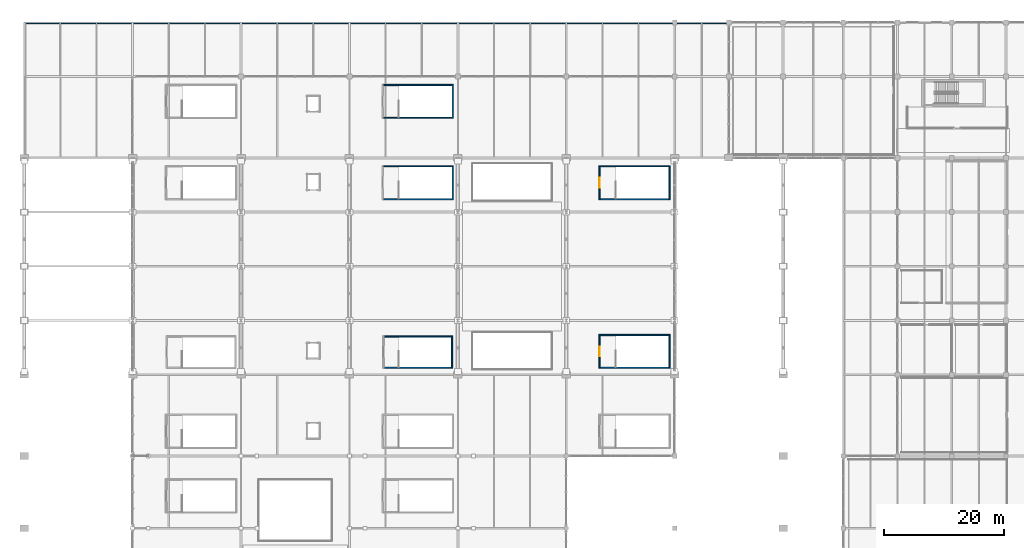
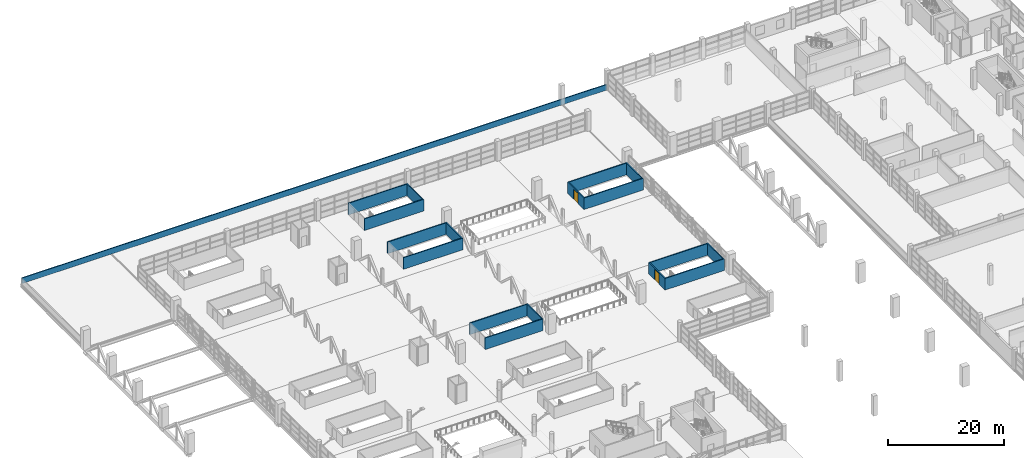
# One storey, part 119 of 136: 18 walls, 2 doors, 2 openings.
"""IFC4 building model written with IfcOpenShell, lengths in metres."""

from ifc_helpers import new_model, si_unit, direction, frame, frame_2d, origin, place, context, subcontext, project, spatial, rectangle, extrude, material, layer, layer_set, type_object, element, fill, save


model = new_model("IFC4")

# Units and contexts
model_context = context("Model", 3, precision=1e-05, world=origin(), true_north=direction((0.0, 1.0)))
body_context = subcontext(model_context, "Body", "Model", "MODEL_VIEW")
ifc_project = project(units=[si_unit("LENGTHUNIT", "METRE"), si_unit("AREAUNIT", "SQUARE_METRE"), si_unit("VOLUMEUNIT", "CUBIC_METRE"), si_unit("PLANEANGLEUNIT", "RADIAN"), si_unit("MASSUNIT", "GRAM", prefix="KILO")], contexts=[model_context])

# Site, building, storey
site_placement = place(None, origin())
site = spatial("IfcSite", under=ifc_project, at=site_placement, CompositionType="ELEMENT")
building_placement = place(site_placement, origin())
building = spatial("IfcBuilding", under=site, at=building_placement, Name="Chuanluo Vaults Station", CompositionType="ELEMENT")
storey_placement = place(building_placement, frame((0.0, 0.0, 6.60009765625)))
storey = spatial("IfcBuildingStorey", under=building, at=storey_placement, Name="L01", CompositionType="ELEMENT", Elevation=6.60009765625)

# Walls
ifc_material_1 = material(Name="Concrete C40", Category="concrete")
ifc_layer_1 = layer(ifc_material_1, 0.179931640625)
ifc_layer_set_1 = layer_set([ifc_layer_1], Name="Concrete C40")
wall_type_1 = type_object("IfcWallType", Name="WL-PAR-180", PredefinedType="PARAPET", material=ifc_layer_set_1)
wall_1_placement = place(storey_placement, frame((0.14990234375, 125.85009765625, 0.0), z_axis=(0.0, 0.0, 1.0), x_axis=(1.0, 0.0, 0.0)))
element("IfcWall", 1, at=wall_1_placement, inside=storey, type_object=wall_type_1, Name="L01 roof parapet wall 03", PredefinedType="PARAPET", context=body_context, shape_type="SweptSolid", body=[
    extrude(rectangle(XDim=116.7001953125, YDim=0.179931640625, at=frame_2d((58.35009765625, 0.0))), origin(), (0.0, 0.0, 1.0), 1.199951171875),
])
ifc_material_2 = material(Name="Concrete C40", Category="concrete")
ifc_layer_2 = layer(ifc_material_2, 0.199951171875)
ifc_layer_set_2 = layer_set([ifc_layer_2], Name="Concrete C40")
wall_type_2 = type_object("IfcWallType", Name="WL-SHF-200", PredefinedType="SOLIDWALL", material=ifc_layer_set_2)
for number, where, z_axis, x_axis, name in (
    (2, (59.550048828125, 68.64990234375, 0.0), (0.0, 0.0, 1.0), (1.0, 0.0, 0.0), "Stair ST-11 south shaft wall L01"),
    (3, (71.125, 73.85009765625, 0.0), (0.0, 0.0, 1.0), (-1.0, 0.0, 0.0), "Stair ST-11 north shaft wall L01"),
):
    element("IfcWall", number, at=place(storey_placement, frame(where, z_axis=z_axis, x_axis=x_axis)), inside=storey, type_object=wall_type_2, Name=name, PredefinedType="SOLIDWALL", context=body_context, shape_type="SweptSolid", body=[
        extrude(rectangle(XDim=11.574951171875, YDim=0.199951171875, at=frame_2d((5.78759765625, 0.0))), origin(), (0.0, 0.0, 1.0), 2.449951171875),
    ])
wall_2_placement = place(storey_placement, frame((71.02490234375, 68.550048828125, 0.0), z_axis=(0.0, 0.0, 1.0), x_axis=(0.0, 1.0, 0.0)))
element("IfcWall", 4, at=wall_2_placement, inside=storey, type_object=wall_type_2, Name="Stair ST-11 far shaft wall L01", PredefinedType="SOLIDWALL", context=body_context, shape_type="SweptSolid", body=[
    extrude(rectangle(XDim=5.39990234375, YDim=0.199951171875, at=frame_2d((2.699951171875, 0.0))), origin(), (0.0, 0.0, 1.0), 2.449951171875),
])
for number, where, z_axis, x_axis, name in (
    (5, (95.425048828125, 68.64990234375, 0.0), (0.0, 0.0, 1.0), (1.0, 0.0, 0.0), "Stair ST-12 south shaft wall L01"),
    (6, (107.25, 74.10009765625, 0.0), (0.0, 0.0, 1.0), (-1.0, 0.0, 0.0), "Stair ST-12 north shaft wall L01"),
):
    element("IfcWall", number, at=place(storey_placement, frame(where, z_axis=z_axis, x_axis=x_axis)), inside=storey, type_object=wall_type_2, Name=name, PredefinedType="SOLIDWALL", context=body_context, shape_type="SweptSolid", body=[
        extrude(rectangle(XDim=11.824951171875, YDim=0.199951171875, at=frame_2d((5.91259765625, 0.0))), origin(), (0.0, 0.0, 1.0), 2.449951171875),
    ])
wall_3_placement = place(storey_placement, frame((107.14990234375, 68.550048828125, 0.0), z_axis=(0.0, 0.0, 1.0), x_axis=(0.0, 1.0, 0.0)))
element("IfcWall", 7, at=wall_3_placement, inside=storey, type_object=wall_type_2, Name="Stair ST-12 far shaft wall L01", PredefinedType="SOLIDWALL", context=body_context, shape_type="SweptSolid", body=[
    extrude(rectangle(XDim=5.64990234375, YDim=0.199951171875, at=frame_2d((2.824951171875, 0.0))), origin(), (0.0, 0.0, 1.0), 2.449951171875),
])

# Wall, opening, door
wall_4_placement = place(storey_placement, frame((95.52490234375, 74.199951171875, 0.0), z_axis=(0.0, 0.0, 1.0), x_axis=(0.0, -1.0, 0.0)))
wall_4 = element("IfcWall", 8, at=wall_4_placement, inside=storey, type_object=wall_type_2, Name="Stair ST-12 vestibule wall L01", PredefinedType="SOLIDWALL", context=body_context, shape_type="SweptSolid", body=[
    extrude(rectangle(XDim=5.64990234375, YDim=0.199951171875, at=frame_2d((2.824951171875, 0.0))), origin(), (0.0, 0.0, 1.0), 2.449951171875),
])
opening_1_placement = place(wall_4_placement, frame((2.02490234375, 0.0, 0.0)))
opening_1 = element("IfcOpeningElement", 9, at=opening_1_placement, cuts=wall_4, Name="Opening FD-02", PredefinedType="OPENING", context=body_context, shape_type="SweptSolid", body=[
    extrude(rectangle(XDim=1.60009765625, YDim=2.14990234375, at=frame_2d((0.800048828125, 1.074951171875))), frame((0.0, 0.1101, 0.0), z_axis=(0.0, -1.0, 0.0), x_axis=(1.0, 0.0, 0.0)), (0.0, 0.0, 1.0), 0.21995),
])
ifc_material_3 = material(Name="Fire-rated steel leaf", Category="steel")
door_type = type_object("IfcDoorType", Name="DR-FIR-1600x2150", OperationType="NOTDEFINED", PredefinedType="DOOR", material=ifc_material_3)
door_1_placement = place(opening_1_placement, origin())
door_1 = element("IfcDoor", 10, at=door_1_placement, inside=storey, type_object=door_type, Name="D-104 Stair ST-12 fire door L01", OperationType="SINGLE_SWING_LEFT", OverallHeight=2.14990234375, OverallWidth=1.60009765625, PredefinedType="DOOR", context=body_context, shape_type="SweptSolid", body=[
    extrude(rectangle(XDim=1.60009765625, YDim=2.14990234375, at=frame_2d((0.800048828125, 1.074951171875))), frame((0.0, 0.02490234375, 0.0), z_axis=(0.0, -1.0, 0.0), x_axis=(1.0, 0.0, 0.0)), (0.0, 0.0, 1.0), 0.050048828125),
])
fill(opening_1, door_1)

# Walls
for number, where, z_axis, x_axis, name in (
    (11, (59.425048828125, 96.64990234375, 0.0), (0.0, 0.0, 1.0), (1.0, 0.0, 0.0), "Stair ST-14 south shaft wall L01"),
    (12, (71.25, 102.10009765625, 0.0), (0.0, 0.0, 1.0), (-1.0, 0.0, 0.0), "Stair ST-14 north shaft wall L01"),
):
    element("IfcWall", number, at=place(storey_placement, frame(where, z_axis=z_axis, x_axis=x_axis)), inside=storey, type_object=wall_type_2, Name=name, PredefinedType="SOLIDWALL", context=body_context, shape_type="SweptSolid", body=[
        extrude(rectangle(XDim=11.824951171875, YDim=0.199951171875, at=frame_2d((5.91259765625, 0.0))), origin(), (0.0, 0.0, 1.0), 2.449951171875),
    ])
wall_5_placement = place(storey_placement, frame((71.14990234375, 96.550048828125, 0.0), z_axis=(0.0, 0.0, 1.0), x_axis=(0.0, 1.0, 0.0)))
element("IfcWall", 13, at=wall_5_placement, inside=storey, type_object=wall_type_2, Name="Stair ST-14 far shaft wall L01", PredefinedType="SOLIDWALL", context=body_context, shape_type="SweptSolid", body=[
    extrude(rectangle(XDim=5.64990234375, YDim=0.199951171875, at=frame_2d((2.824951171875, 0.0))), origin(), (0.0, 0.0, 1.0), 2.449951171875),
])
for number, where, z_axis, x_axis, name in (
    (14, (95.425048828125, 96.64990234375, 0.0), (0.0, 0.0, 1.0), (1.0, 0.0, 0.0), "Stair ST-15 south shaft wall L01"),
    (15, (107.25, 102.10009765625, 0.0), (0.0, 0.0, 1.0), (-1.0, 0.0, 0.0), "Stair ST-15 north shaft wall L01"),
):
    element("IfcWall", number, at=place(storey_placement, frame(where, z_axis=z_axis, x_axis=x_axis)), inside=storey, type_object=wall_type_2, Name=name, PredefinedType="SOLIDWALL", context=body_context, shape_type="SweptSolid", body=[
        extrude(rectangle(XDim=11.824951171875, YDim=0.199951171875, at=frame_2d((5.91259765625, 0.0))), origin(), (0.0, 0.0, 1.0), 2.449951171875),
    ])
wall_6_placement = place(storey_placement, frame((107.14990234375, 96.550048828125, 0.0), z_axis=(0.0, 0.0, 1.0), x_axis=(0.0, 1.0, 0.0)))
element("IfcWall", 16, at=wall_6_placement, inside=storey, type_object=wall_type_2, Name="Stair ST-15 far shaft wall L01", PredefinedType="SOLIDWALL", context=body_context, shape_type="SweptSolid", body=[
    extrude(rectangle(XDim=5.64990234375, YDim=0.199951171875, at=frame_2d((2.824951171875, 0.0))), origin(), (0.0, 0.0, 1.0), 2.449951171875),
])

# Wall, opening, door
wall_7_placement = place(storey_placement, frame((95.52490234375, 102.199951171875, 0.0), z_axis=(0.0, 0.0, 1.0), x_axis=(0.0, -1.0, 0.0)))
wall_7 = element("IfcWall", 17, at=wall_7_placement, inside=storey, type_object=wall_type_2, Name="Stair ST-15 vestibule wall L01", PredefinedType="SOLIDWALL", context=body_context, shape_type="SweptSolid", body=[
    extrude(rectangle(XDim=5.64990234375, YDim=0.199951171875, at=frame_2d((2.824951171875, 0.0))), origin(), (0.0, 0.0, 1.0), 2.449951171875),
])
opening_2_placement = place(wall_7_placement, frame((2.02490234375, 0.0, 0.0)))
opening_2 = element("IfcOpeningElement", 18, at=opening_2_placement, cuts=wall_7, Name="Opening FD-02", PredefinedType="OPENING", context=body_context, shape_type="SweptSolid", body=[
    extrude(rectangle(XDim=1.60009765625, YDim=2.14990234375, at=frame_2d((0.800048828125, 1.074951171875))), frame((0.0, 0.1101, 0.0), z_axis=(0.0, -1.0, 0.0), x_axis=(1.0, 0.0, 0.0)), (0.0, 0.0, 1.0), 0.21995),
])
door_2_placement = place(opening_2_placement, origin())
door_2 = element("IfcDoor", 19, at=door_2_placement, inside=storey, type_object=door_type, Name="D-110 Stair ST-15 fire door L01", OperationType="SINGLE_SWING_LEFT", OverallHeight=2.14990234375, OverallWidth=1.60009765625, PredefinedType="DOOR", context=body_context, shape_type="SweptSolid", body=[
    extrude(rectangle(XDim=1.60009765625, YDim=2.14990234375, at=frame_2d((0.800048828125, 1.074951171875))), frame((0.0, 0.02490234375, 0.0), z_axis=(0.0, -1.0, 0.0), x_axis=(1.0, 0.0, 0.0)), (0.0, 0.0, 1.0), 0.050048828125),
])
fill(opening_2, door_2)

# Walls
for number, where, z_axis, x_axis, name in (
    (20, (59.425048828125, 110.14990234375, 0.0), (0.0, 0.0, 1.0), (1.0, 0.0, 0.0), "Stair ST-17 south shaft wall L01"),
    (21, (71.25, 115.60009765625, 0.0), (0.0, 0.0, 1.0), (-1.0, 0.0, 0.0), "Stair ST-17 north shaft wall L01"),
):
    element("IfcWall", number, at=place(storey_placement, frame(where, z_axis=z_axis, x_axis=x_axis)), inside=storey, type_object=wall_type_2, Name=name, PredefinedType="SOLIDWALL", context=body_context, shape_type="SweptSolid", body=[
        extrude(rectangle(XDim=11.824951171875, YDim=0.199951171875, at=frame_2d((5.91259765625, 0.0))), origin(), (0.0, 0.0, 1.0), 2.449951171875),
    ])
wall_8_placement = place(storey_placement, frame((71.14990234375, 110.050048828125, 0.0), z_axis=(0.0, 0.0, 1.0), x_axis=(0.0, 1.0, 0.0)))
element("IfcWall", 22, at=wall_8_placement, inside=storey, type_object=wall_type_2, Name="Stair ST-17 far shaft wall L01", PredefinedType="SOLIDWALL", context=body_context, shape_type="SweptSolid", body=[
    extrude(rectangle(XDim=5.64990234375, YDim=0.199951171875, at=frame_2d((2.824951171875, 0.0))), origin(), (0.0, 0.0, 1.0), 2.449951171875),
])

save(model, "model.ifc")
